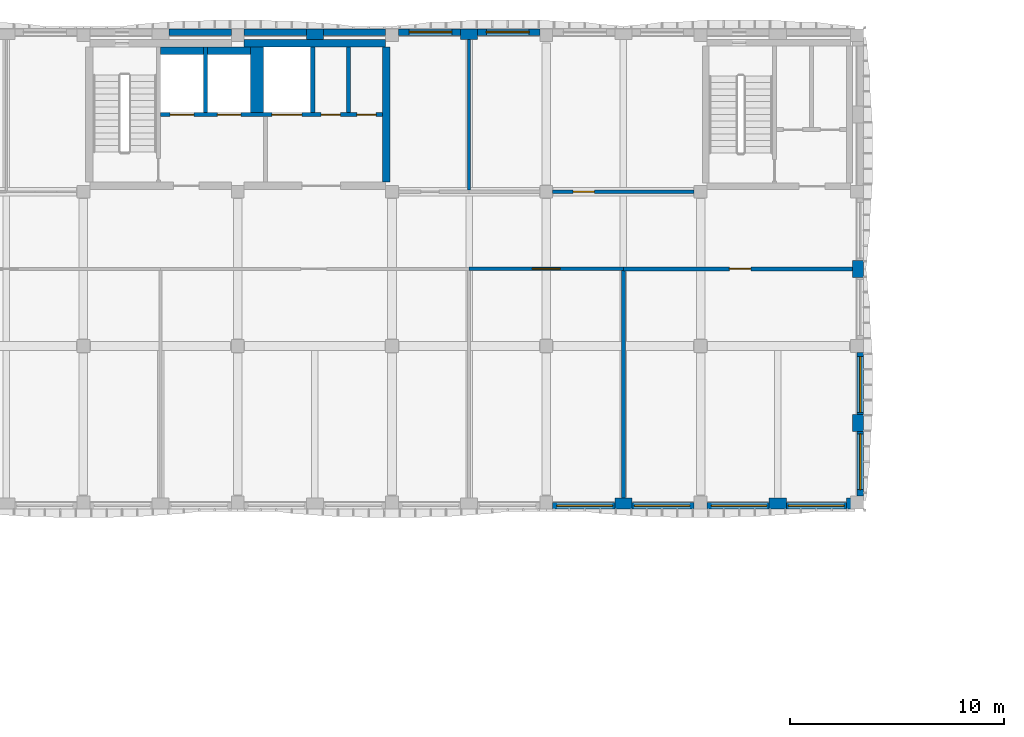
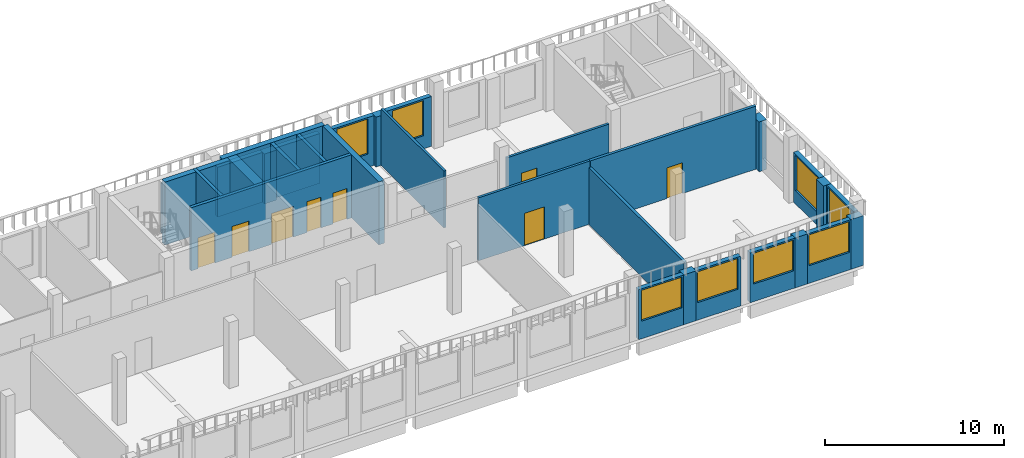
# One storey, part 20 of 44: 32 walls, 8 doors, 8 windows, 16 openings.
"""IFC4 building model written with IfcOpenShell, lengths in metres."""

from ifc_helpers import new_model, si_unit, direction, frame, frame_2d, origin, place, context, subcontext, project, spatial, rectangle, extrude, material, layer, layer_set, type_object, element, fill, save


model = new_model("IFC4")

# Units and contexts
model_context = context("Model", 3, precision=1e-05, world=origin(), true_north=direction((0.0, 1.0)))
body_context = subcontext(model_context, "Body", "Model", "MODEL_VIEW")
ifc_project = project(units=[si_unit("LENGTHUNIT", "METRE"), si_unit("AREAUNIT", "SQUARE_METRE"), si_unit("VOLUMEUNIT", "CUBIC_METRE"), si_unit("PLANEANGLEUNIT", "RADIAN"), si_unit("MASSUNIT", "GRAM", prefix="KILO")], contexts=[model_context])

# Site, building, storey
site_placement = place(None, origin())
site = spatial("IfcSite", under=ifc_project, at=site_placement, CompositionType="ELEMENT")
building_placement = place(site_placement, origin())
building = spatial("IfcBuilding", under=site, at=building_placement, Name="Ussher Court Research Institute", CompositionType="ELEMENT")
storey_placement = place(building_placement, frame((0.0, 0.0, 18.89990234375)))
storey = spatial("IfcBuildingStorey", under=building, at=storey_placement, Name="L04", CompositionType="ELEMENT", Elevation=18.89990234375)

# Wall, opening, door
ifc_material_1 = material(Name="Plasterboard on steel studs with mineral wool", Category="steel")
ifc_layer_1 = layer(ifc_material_1, 0.179931640625)
ifc_layer_set_1 = layer_set([ifc_layer_1], Name="Plasterboard on steel studs with mineral wool")
wall_type_1 = type_object("IfcWallType", Name="Acoustic twin-stud partition 180", PredefinedType="PARTITIONING", material=ifc_layer_set_1)
wall_1_placement = place(storey_placement, frame((82.10009765625, 79.60009765625, 0.0), z_axis=(0.0, 0.0, 1.0), x_axis=(-1.0, 0.0, 0.0)))
wall_1 = element("IfcWall", 1, at=wall_1_placement, inside=storey, type_object=wall_type_1, Name="Partition", PredefinedType="PARTITIONING", context=body_context, shape_type="SweptSolid", body=[
    extrude(rectangle(XDim=10.7001953125, YDim=0.179931640625, at=frame_2d((5.35009765625, 0.0))), origin(), (0.0, 0.0, 1.0), 4.300048828125),
])
opening_1_placement = place(wall_1_placement, frame((4.75, 0.0, 0.0)))
opening_1 = element("IfcOpeningElement", 2, at=opening_1_placement, cuts=wall_1, Name="Opening D04021", PredefinedType="OPENING", context=body_context, shape_type="SweptSolid", body=[
    extrude(rectangle(XDim=1.0, YDim=2.10009765625, at=frame_2d((0.5, 1.050048828125))), frame((0.0, 0.10009765625, 0.0), z_axis=(0.0, -1.0, 0.0), x_axis=(1.0, 0.0, 0.0)), (0.0, 0.0, 1.0), 0.199951171875),
])
ifc_material_2 = material(Name="Veneered timber door", Category="wood")
door_type_1 = type_object("IfcDoorType", Name="Meeting room door 1000x2100", OperationType="NOTDEFINED", PredefinedType="DOOR", material=ifc_material_2)
door_1_placement = place(opening_1_placement, origin())
door_1 = element("IfcDoor", 3, at=door_1_placement, inside=storey, type_object=door_type_1, Name="Door D04021", OperationType="SINGLE_SWING_LEFT", OverallHeight=2.10009765625, OverallWidth=1.0, PredefinedType="DOOR", context=body_context, shape_type="SweptSolid", body=[
    extrude(rectangle(XDim=1.0, YDim=2.10009765625, at=frame_2d((0.5, 1.050048828125))), frame((0.0, 0.02490234375, 0.0), z_axis=(0.0, -1.0, 0.0), x_axis=(1.0, 0.0, 0.0)), (0.0, 0.0, 1.0), 0.050048828125),
])
fill(opening_1, door_1)

# Wall
wall_2_placement = place(storey_placement, frame((71.39990234375, 68.89990234375, 0.0), z_axis=(0.0, 0.0, 1.0), x_axis=(0.0, 1.0, 0.0)))
element("IfcWall", 4, at=wall_2_placement, inside=storey, type_object=wall_type_1, Name="Partition", PredefinedType="PARTITIONING", context=body_context, shape_type="SweptSolid", body=[
    extrude(rectangle(XDim=10.6201171875, YDim=0.179931640625, at=frame_2d((5.31005859375, 0.0))), origin(), (0.0, 0.0, 1.0), 3.8701171875),
])

# Wall, opening, window
ifc_material_3 = material(Name="Blockwork with cream render", Category="masonry")
ifc_layer_2 = layer(ifc_material_3, 0.300048828125)
ifc_layer_set_2 = layer_set([ifc_layer_2], Name="Blockwork with cream render")
wall_type_2 = type_object("IfcWallType", Name="External wall 300 cream render", PredefinedType="SOLIDWALL", material=ifc_layer_set_2)
wall_3_placement = place(storey_placement, frame((60.89990234375, 90.64990234375, 0.0), z_axis=(0.0, 0.0, 1.0), x_axis=(1.0, 0.0, 0.0)))
wall_3 = element("IfcWall", 5, at=wall_3_placement, inside=storey, type_object=wall_type_2, Name="External wall EW1 L04", PredefinedType="SOLIDWALL", context=body_context, shape_type="SweptSolid", body=[
    extrude(rectangle(XDim=2.900146484375, YDim=0.300048828125, at=frame_2d((1.4501953125, 0.0))), origin(), (0.0, 0.0, 1.0), 3.400146484375),
])
opening_2_placement = place(wall_3_placement, frame((0.5, 0.0, 0.89990234375)))
opening_2 = element("IfcOpeningElement", 6, at=opening_2_placement, cuts=wall_3, Name="Opening W14", PredefinedType="OPENING", context=body_context, shape_type="SweptSolid", body=[
    extrude(rectangle(XDim=2.0, YDim=2.39990234375, at=frame_2d((1.0, 1.199951171875))), frame((0.0, 0.16015625, 0.0), z_axis=(0.0, -1.0, 0.0), x_axis=(1.0, 0.0, 0.0)), (0.0, 0.0, 1.0), 0.320068359375),
])
ifc_material_4 = material(Name="Bronze anodised aluminium with double glazing", Category="aluminium")
window_type_1 = type_object("IfcWindowType", Name="Seminar and write-up office window 2000x2400", PartitioningType="DOUBLE_PANEL_VERTICAL", PredefinedType="WINDOW", material=ifc_material_4)
window_1_placement = place(opening_2_placement, origin())
window_1 = element("IfcWindow", 7, at=window_1_placement, inside=storey, type_object=window_type_1, Name="Window W14 L04", OverallHeight=2.39990234375, OverallWidth=2.0, PartitioningType="SINGLE_PANEL", PredefinedType="WINDOW", context=body_context, shape_type="SweptSolid", body=[
    extrude(rectangle(XDim=2.0, YDim=2.39990234375, at=frame_2d((1.0, 1.199951171875))), frame((0.0, 0.030029296875, 0.0), z_axis=(0.0, -1.0, 0.0), x_axis=(1.0, 0.0, 0.0)), (0.0, 0.0, 1.0), 0.06005859375),
])
fill(opening_2, window_1)

wall_4_placement = place(storey_placement, frame((64.60009765625, 90.64990234375, 0.0), z_axis=(0.0, 0.0, 1.0), x_axis=(1.0, 0.0, 0.0)))
wall_4 = element("IfcWall", 8, at=wall_4_placement, inside=storey, type_object=wall_type_2, Name="External wall EW1 L04", PredefinedType="SOLIDWALL", context=body_context, shape_type="SweptSolid", body=[
    extrude(rectangle(XDim=2.89990234375, YDim=0.300048828125, at=frame_2d((1.449951171875, 0.0))), origin(), (0.0, 0.0, 1.0), 3.400146484375),
])
opening_3_placement = place(wall_4_placement, frame((0.39990234375, 0.0, 0.89990234375)))
opening_3 = element("IfcOpeningElement", 9, at=opening_3_placement, cuts=wall_4, Name="Opening W14", PredefinedType="OPENING", context=body_context, shape_type="SweptSolid", body=[
    extrude(rectangle(XDim=2.0, YDim=2.39990234375, at=frame_2d((1.0, 1.199951171875))), frame((0.0, 0.16015625, 0.0), z_axis=(0.0, -1.0, 0.0), x_axis=(1.0, 0.0, 0.0)), (0.0, 0.0, 1.0), 0.320068359375),
])
window_2_placement = place(opening_3_placement, origin())
window_2 = element("IfcWindow", 10, at=window_2_placement, inside=storey, type_object=window_type_1, Name="Window W14 L04", OverallHeight=2.39990234375, OverallWidth=2.0, PartitioningType="SINGLE_PANEL", PredefinedType="WINDOW", context=body_context, shape_type="SweptSolid", body=[
    extrude(rectangle(XDim=2.0, YDim=2.39990234375, at=frame_2d((1.0, 1.199951171875))), frame((0.0, 0.030029296875, 0.0), z_axis=(0.0, -1.0, 0.0), x_axis=(1.0, 0.0, 0.0)), (0.0, 0.0, 1.0), 0.06005859375),
])
fill(opening_3, window_2)

wall_5_placement = place(storey_placement, frame((82.449951171875, 75.699951171875, 0.0), z_axis=(0.0, 0.0, 1.0), x_axis=(0.0, -1.0, 0.0)))
wall_5 = element("IfcWall", 11, at=wall_5_placement, inside=storey, type_object=wall_type_2, Name="External wall EW1 L04", PredefinedType="SOLIDWALL", context=body_context, shape_type="SweptSolid", body=[
    extrude(rectangle(XDim=2.89990234375, YDim=0.300048828125, at=frame_2d((1.449951171875, 0.0))), origin(), (0.0, 0.0, 1.0), 3.400146484375),
])
opening_4_placement = place(wall_5_placement, frame((0.199951171875, 0.0, 0.89990234375)))
opening_4 = element("IfcOpeningElement", 12, at=opening_4_placement, cuts=wall_5, Name="Opening W01", PredefinedType="OPENING", context=body_context, shape_type="SweptSolid", body=[
    extrude(rectangle(XDim=2.60009765625, YDim=2.39990234375, at=frame_2d((1.300048828125, 1.199951171875))), frame((0.0, 0.16015625, 0.0), z_axis=(0.0, -1.0, 0.0), x_axis=(1.0, 0.0, 0.0)), (0.0, 0.0, 1.0), 0.320068359375),
])
ifc_material_5 = material(Name="Bronze anodised aluminium with double glazing", Category="aluminium")
window_type_2 = type_object("IfcWindowType", Name="Laboratory bay window 2600x2400", PartitioningType="DOUBLE_PANEL_VERTICAL", PredefinedType="WINDOW", material=ifc_material_5)
window_3_placement = place(opening_4_placement, origin())
window_3 = element("IfcWindow", 13, at=window_3_placement, inside=storey, type_object=window_type_2, Name="Window W01 L04", OverallHeight=2.39990234375, OverallWidth=2.60009765625, PartitioningType="SINGLE_PANEL", PredefinedType="WINDOW", context=body_context, shape_type="SweptSolid", body=[
    extrude(rectangle(XDim=2.60009765625, YDim=2.39990234375, at=frame_2d((1.300048828125, 1.199951171875))), frame((0.0, 0.030029296875, 0.0), z_axis=(0.0, -1.0, 0.0), x_axis=(1.0, 0.0, 0.0)), (0.0, 0.0, 1.0), 0.06005859375),
])
fill(opening_4, window_3)

wall_6_placement = place(storey_placement, frame((82.449951171875, 72.0, 0.0), z_axis=(0.0, 0.0, 1.0), x_axis=(0.0, -1.0, 0.0)))
wall_6 = element("IfcWall", 14, at=wall_6_placement, inside=storey, type_object=wall_type_2, Name="External wall EW1 L04", PredefinedType="SOLIDWALL", context=body_context, shape_type="SweptSolid", body=[
    extrude(rectangle(XDim=3.0, YDim=0.300048828125, at=frame_2d((1.5, 0.0))), origin(), (0.0, 0.0, 1.0), 3.400146484375),
])
opening_5_placement = place(wall_6_placement, frame((0.10009765625, 0.0, 0.89990234375)))
opening_5 = element("IfcOpeningElement", 15, at=opening_5_placement, cuts=wall_6, Name="Opening W01", PredefinedType="OPENING", context=body_context, shape_type="SweptSolid", body=[
    extrude(rectangle(XDim=2.60009765625, YDim=2.39990234375, at=frame_2d((1.300048828125, 1.199951171875))), frame((0.0, 0.16015625, 0.0), z_axis=(0.0, -1.0, 0.0), x_axis=(1.0, 0.0, 0.0)), (0.0, 0.0, 1.0), 0.320068359375),
])
window_4_placement = place(opening_5_placement, origin())
window_4 = element("IfcWindow", 16, at=window_4_placement, inside=storey, type_object=window_type_2, Name="Window W01 L04", OverallHeight=2.39990234375, OverallWidth=2.60009765625, PartitioningType="SINGLE_PANEL", PredefinedType="WINDOW", context=body_context, shape_type="SweptSolid", body=[
    extrude(rectangle(XDim=2.60009765625, YDim=2.39990234375, at=frame_2d((1.300048828125, 1.199951171875))), frame((0.0, 0.030029296875, 0.0), z_axis=(0.0, -1.0, 0.0), x_axis=(1.0, 0.0, 0.0)), (0.0, 0.0, 1.0), 0.06005859375),
])
fill(opening_5, window_4)

wall_7_placement = place(storey_placement, frame((81.800048828125, 68.550048828125, 0.0), z_axis=(0.0, 0.0, 1.0), x_axis=(-1.0, 0.0, 0.0)))
wall_7 = element("IfcWall", 17, at=wall_7_placement, inside=storey, type_object=wall_type_2, Name="External wall EW1 L04", PredefinedType="SOLIDWALL", context=body_context, shape_type="SweptSolid", body=[
    extrude(rectangle(XDim=2.800048828125, YDim=0.300048828125, at=frame_2d((1.39990234375, 0.0))), origin(), (0.0, 0.0, 1.0), 3.400146484375),
])
opening_6_placement = place(wall_7_placement, frame((0.10009765625, 0.0, 1.199951171875)))
opening_6 = element("IfcOpeningElement", 18, at=opening_6_placement, cuts=wall_7, Name="Opening W08", PredefinedType="OPENING", context=body_context, shape_type="SweptSolid", body=[
    extrude(rectangle(XDim=2.60009765625, YDim=2.10009765625, at=frame_2d((1.300048828125, 1.050048828125))), frame((0.0, 0.16015625, 0.0), z_axis=(0.0, -1.0, 0.0), x_axis=(1.0, 0.0, 0.0)), (0.0, 0.0, 1.0), 0.320068359375),
])
ifc_material_6 = material(Name="Bronze anodised aluminium with double glazing", Category="aluminium")
window_type_3 = type_object("IfcWindowType", Name="Dry laboratory bay window 2600x2100", PartitioningType="DOUBLE_PANEL_VERTICAL", PredefinedType="WINDOW", material=ifc_material_6)
window_5_placement = place(opening_6_placement, origin())
window_5 = element("IfcWindow", 19, at=window_5_placement, inside=storey, type_object=window_type_3, Name="Window W08 L04", OverallHeight=2.10009765625, OverallWidth=2.60009765625, PartitioningType="SINGLE_PANEL", PredefinedType="WINDOW", context=body_context, shape_type="SweptSolid", body=[
    extrude(rectangle(XDim=2.60009765625, YDim=2.10009765625, at=frame_2d((1.300048828125, 1.050048828125))), frame((0.0, 0.030029296875, 0.0), z_axis=(0.0, -1.0, 0.0), x_axis=(1.0, 0.0, 0.0)), (0.0, 0.0, 1.0), 0.06005859375),
])
fill(opening_6, window_5)

wall_8_placement = place(storey_placement, frame((78.199951171875, 68.550048828125, 0.0), z_axis=(0.0, 0.0, 1.0), x_axis=(-1.0, 0.0, 0.0)))
wall_8 = element("IfcWall", 20, at=wall_8_placement, inside=storey, type_object=wall_type_2, Name="External wall EW1 L04", PredefinedType="SOLIDWALL", context=body_context, shape_type="SweptSolid", body=[
    extrude(rectangle(XDim=2.89990234375, YDim=0.300048828125, at=frame_2d((1.449951171875, 0.0))), origin(), (0.0, 0.0, 1.0), 3.400146484375),
])
opening_7_placement = place(wall_8_placement, frame((0.10009765625, 0.0, 1.199951171875)))
opening_7 = element("IfcOpeningElement", 21, at=opening_7_placement, cuts=wall_8, Name="Opening W08", PredefinedType="OPENING", context=body_context, shape_type="SweptSolid", body=[
    extrude(rectangle(XDim=2.60009765625, YDim=2.10009765625, at=frame_2d((1.300048828125, 1.050048828125))), frame((0.0, 0.16015625, 0.0), z_axis=(0.0, -1.0, 0.0), x_axis=(1.0, 0.0, 0.0)), (0.0, 0.0, 1.0), 0.320068359375),
])
window_6_placement = place(opening_7_placement, origin())
window_6 = element("IfcWindow", 22, at=window_6_placement, inside=storey, type_object=window_type_3, Name="Window W08 L04", OverallHeight=2.10009765625, OverallWidth=2.60009765625, PartitioningType="SINGLE_PANEL", PredefinedType="WINDOW", context=body_context, shape_type="SweptSolid", body=[
    extrude(rectangle(XDim=2.60009765625, YDim=2.10009765625, at=frame_2d((1.300048828125, 1.050048828125))), frame((0.0, 0.030029296875, 0.0), z_axis=(0.0, -1.0, 0.0), x_axis=(1.0, 0.0, 0.0)), (0.0, 0.0, 1.0), 0.06005859375),
])
fill(opening_7, window_6)

wall_9_placement = place(storey_placement, frame((74.699951171875, 68.550048828125, 0.0), z_axis=(0.0, 0.0, 1.0), x_axis=(-1.0, 0.0, 0.0)))
wall_9 = element("IfcWall", 23, at=wall_9_placement, inside=storey, type_object=wall_type_2, Name="External wall EW1 L04", PredefinedType="SOLIDWALL", context=body_context, shape_type="SweptSolid", body=[
    extrude(rectangle(XDim=2.89990234375, YDim=0.300048828125, at=frame_2d((1.449951171875, 0.0))), origin(), (0.0, 0.0, 1.0), 3.400146484375),
])
opening_8_placement = place(wall_9_placement, frame((0.199951171875, 0.0, 1.199951171875)))
opening_8 = element("IfcOpeningElement", 24, at=opening_8_placement, cuts=wall_9, Name="Opening W08", PredefinedType="OPENING", context=body_context, shape_type="SweptSolid", body=[
    extrude(rectangle(XDim=2.60009765625, YDim=2.10009765625, at=frame_2d((1.300048828125, 1.050048828125))), frame((0.0, 0.16015625, 0.0), z_axis=(0.0, -1.0, 0.0), x_axis=(1.0, 0.0, 0.0)), (0.0, 0.0, 1.0), 0.320068359375),
])
window_7_placement = place(opening_8_placement, origin())
window_7 = element("IfcWindow", 25, at=window_7_placement, inside=storey, type_object=window_type_3, Name="Window W08 L04", OverallHeight=2.10009765625, OverallWidth=2.60009765625, PartitioningType="SINGLE_PANEL", PredefinedType="WINDOW", context=body_context, shape_type="SweptSolid", body=[
    extrude(rectangle(XDim=2.60009765625, YDim=2.10009765625, at=frame_2d((1.300048828125, 1.050048828125))), frame((0.0, 0.030029296875, 0.0), z_axis=(0.0, -1.0, 0.0), x_axis=(1.0, 0.0, 0.0)), (0.0, 0.0, 1.0), 0.06005859375),
])
fill(opening_8, window_7)

wall_10_placement = place(storey_placement, frame((71.0, 68.550048828125, 0.0), z_axis=(0.0, 0.0, 1.0), x_axis=(-1.0, 0.0, 0.0)))
wall_10 = element("IfcWall", 26, at=wall_10_placement, inside=storey, type_object=wall_type_2, Name="External wall EW1 L04", PredefinedType="SOLIDWALL", context=body_context, shape_type="SweptSolid", body=[
    extrude(rectangle(XDim=2.89990234375, YDim=0.300048828125, at=frame_2d((1.449951171875, 0.0))), origin(), (0.0, 0.0, 1.0), 3.400146484375),
])
opening_9_placement = place(wall_10_placement, frame((0.10009765625, 0.0, 1.199951171875)))
opening_9 = element("IfcOpeningElement", 27, at=opening_9_placement, cuts=wall_10, Name="Opening W08", PredefinedType="OPENING", context=body_context, shape_type="SweptSolid", body=[
    extrude(rectangle(XDim=2.60009765625, YDim=2.10009765625, at=frame_2d((1.300048828125, 1.050048828125))), frame((0.0, 0.16015625, 0.0), z_axis=(0.0, -1.0, 0.0), x_axis=(1.0, 0.0, 0.0)), (0.0, 0.0, 1.0), 0.320068359375),
])
window_8_placement = place(opening_9_placement, origin())
window_8 = element("IfcWindow", 28, at=window_8_placement, inside=storey, type_object=window_type_3, Name="Window W08 L04", OverallHeight=2.10009765625, OverallWidth=2.60009765625, PartitioningType="SINGLE_PANEL", PredefinedType="WINDOW", context=body_context, shape_type="SweptSolid", body=[
    extrude(rectangle(XDim=2.60009765625, YDim=2.10009765625, at=frame_2d((1.300048828125, 1.050048828125))), frame((0.0, 0.030029296875, 0.0), z_axis=(0.0, -1.0, 0.0), x_axis=(1.0, 0.0, 0.0)), (0.0, 0.0, 1.0), 0.06005859375),
])
fill(opening_9, window_8)

# Walls
ifc_material_7 = material(Name="Limestone facing on blockwork", Category="masonry")
ifc_layer_3 = layer(ifc_material_7, 0.300048828125)
ifc_layer_set_3 = layer_set([ifc_layer_3], Name="Limestone facing on blockwork")
wall_type_3 = type_object("IfcWallType", Name="External wall 300 stair enclosure", PredefinedType="SOLIDWALL", material=ifc_layer_set_3)
for number, where, z_axis, x_axis, name in (
    (29, (50.199951171875, 90.64990234375, 0.0), (0.0, 0.0, 1.0), (1.0, 0.0, 0.0), "External wall EW5 L04"),
    (30, (53.699951171875, 90.64990234375, 0.0), (0.0, 0.0, 1.0), (1.0, 0.0, 0.0), "External wall EW5 L04"),
    (31, (57.39990234375, 90.64990234375, 0.0), (0.0, 0.0, 1.0), (1.0, 0.0, 0.0), "External wall EW5 L04"),
):
    element("IfcWall", number, at=place(storey_placement, frame(where, z_axis=z_axis, x_axis=x_axis)), inside=storey, type_object=wall_type_3, Name=name, PredefinedType="SOLIDWALL", context=body_context, shape_type="SweptSolid", body=[
        extrude(rectangle(XDim=2.900146484375, YDim=0.300048828125, at=frame_2d((1.4501953125, 0.0))), origin(), (0.0, 0.0, 1.0), 3.400146484375),
    ])

# Wall, opening, door
ifc_material_8 = material(Name="Plastered blockwork", Category="masonry")
ifc_layer_4 = layer(ifc_material_8, 0.14990234375)
ifc_layer_set_4 = layer_set([ifc_layer_4], Name="Plastered blockwork")
wall_type_4 = type_object("IfcWallType", Name="Fire partition blockwork 150 EI 60", PredefinedType="PARTITIONING", material=ifc_layer_set_4)
wall_11_placement = place(storey_placement, frame((68.10009765625, 83.199951171875, 0.0), z_axis=(0.0, 0.0, 1.0), x_axis=(1.0, 0.0, 0.0)))
wall_11 = element("IfcWall", 32, at=wall_11_placement, inside=storey, type_object=wall_type_4, Name="Fire partition", PredefinedType="PARTITIONING", context=body_context, shape_type="SweptSolid", body=[
    extrude(rectangle(XDim=6.599853515625, YDim=0.14990234375, at=frame_2d((3.2998046875, 0.0))), origin(), (0.0, 0.0, 1.0), 3.47021484375),
])
opening_10_placement = place(wall_11_placement, frame((0.949951171875, 0.0, 0.0)))
opening_10 = element("IfcOpeningElement", 33, at=opening_10_placement, cuts=wall_11, Name="Opening D04020", PredefinedType="OPENING", context=body_context, shape_type="SweptSolid", body=[
    extrude(rectangle(XDim=1.0, YDim=2.10009765625, at=frame_2d((0.5, 1.050048828125))), frame((0.0, 0.0849609375, 0.0), z_axis=(0.0, -1.0, 0.0), x_axis=(1.0, 0.0, 0.0)), (0.0, 0.0, 1.0), 0.169921875),
])
ifc_material_9 = material(Name="Painted steel faced fire door", Category="steel")
door_type_2 = type_object("IfcDoorType", Name="Store door 1000x2100 FD60", OperationType="NOTDEFINED", PredefinedType="DOOR", material=ifc_material_9)
door_2_placement = place(opening_10_placement, origin())
door_2 = element("IfcDoor", 34, at=door_2_placement, inside=storey, type_object=door_type_2, Name="Door D04020", OperationType="SINGLE_SWING_LEFT", OverallHeight=2.10009765625, OverallWidth=1.0, PredefinedType="DOOR", context=body_context, shape_type="SweptSolid", body=[
    extrude(rectangle(XDim=1.0, YDim=2.10009765625, at=frame_2d((0.5, 1.050048828125))), frame((0.0, 0.02490234375, 0.0), z_axis=(0.0, -1.0, 0.0), x_axis=(1.0, 0.0, 0.0)), (0.0, 0.0, 1.0), 0.050048828125),
])
fill(opening_10, door_2)

# Wall
wall_12_placement = place(storey_placement, frame((64.199951171875, 83.27490234375, 0.0), z_axis=(0.0, 0.0, 1.0), x_axis=(0.0, 1.0, 0.0)))
element("IfcWall", 35, at=wall_12_placement, inside=storey, type_object=wall_type_4, Name="Fire partition", PredefinedType="PARTITIONING", context=body_context, shape_type="SweptSolid", body=[
    extrude(rectangle(XDim=7.025146484375, YDim=0.14990234375, at=frame_2d((3.5126953125, 0.0))), origin(), (0.0, 0.0, 1.0), 3.8701171875),
])

# Wall, opening, door
ifc_material_10 = material(Name="Dense concrete blockwork", Category="masonry")
ifc_layer_5 = layer(ifc_material_10, 0.159912109375)
ifc_layer_set_5 = layer_set([ifc_layer_5], Name="Dense concrete blockwork")
wall_type_5 = type_object("IfcWallType", Name="Instrument room dense block partition 160", PredefinedType="PARTITIONING", material=ifc_layer_set_5)
wall_13_placement = place(storey_placement, frame((71.39990234375, 79.60009765625, 0.0), z_axis=(0.0, 0.0, 1.0), x_axis=(-1.0, 0.0, 0.0)))
wall_13 = element("IfcWall", 36, at=wall_13_placement, inside=storey, type_object=wall_type_5, Name="Partition", PredefinedType="PARTITIONING", context=body_context, shape_type="SweptSolid", body=[
    extrude(rectangle(XDim=7.199951171875, YDim=0.159912109375, at=frame_2d((3.60009765625, 0.0))), origin(), (0.0, 0.0, 1.0), 4.300048828125),
])
opening_11_placement = place(wall_13_placement, frame((2.949951171875, 0.0, 0.0)))
opening_11 = element("IfcOpeningElement", 37, at=opening_11_placement, cuts=wall_13, Name="Opening D04019", PredefinedType="OPENING", context=body_context, shape_type="SweptSolid", body=[
    extrude(rectangle(XDim=1.300048828125, YDim=2.199951171875, at=frame_2d((0.64990234375, 1.10009765625))), frame((0.0, 0.08984375, 0.0), z_axis=(0.0, -1.0, 0.0), x_axis=(1.0, 0.0, 0.0)), (0.0, 0.0, 1.0), 0.179931640625),
])
ifc_material_11 = material(Name="Veneered timber door", Category="wood")
door_type_3 = type_object("IfcDoorType", Name="Instrument room door 1300x2200", OperationType="NOTDEFINED", PredefinedType="DOOR", material=ifc_material_11)
door_3_placement = place(opening_11_placement, origin())
door_3 = element("IfcDoor", 38, at=door_3_placement, inside=storey, type_object=door_type_3, Name="Door D04019", OperationType="SINGLE_SWING_RIGHT", OverallHeight=2.199951171875, OverallWidth=1.300048828125, PredefinedType="DOOR", context=body_context, shape_type="SweptSolid", body=[
    extrude(rectangle(XDim=1.300048828125, YDim=2.199951171875, at=frame_2d((0.64990234375, 1.10009765625))), frame((0.0, 0.02490234375, 0.0), z_axis=(0.0, -1.0, 0.0), x_axis=(1.0, 0.0, 0.0)), (0.0, 0.0, 1.0), 0.050048828125),
])
fill(opening_11, door_3)

# Walls
ifc_material_12 = material(Name="Blockwork with cream render", Category="masonry")
ifc_layer_6 = layer(ifc_material_12, 0.5)
ifc_layer_set_6 = layer_set([ifc_layer_6], Name="Blockwork with cream render")
wall_type_6 = type_object("IfcWallType", Name="Pier 800x500 cream render", PredefinedType="SOLIDWALL", material=ifc_layer_set_6)
wall_14_placement = place(storey_placement, frame((56.60009765625, 90.550048828125, 0.0), z_axis=(0.0, 0.0, 1.0), x_axis=(1.0, 0.0, 0.0)))
element("IfcWall", 39, at=wall_14_placement, inside=storey, type_object=wall_type_6, Name="Pier PR1 L04", PredefinedType="SOLIDWALL", context=body_context, shape_type="SweptSolid", body=[
    extrude(rectangle(XDim=0.7998046875, YDim=0.5, at=frame_2d((0.39990234375, 0.0))), origin(), (0.0, 0.0, 1.0), 3.400146484375),
])
for number, where, z_axis, x_axis, name in (
    (40, (63.800048828125, 90.550048828125, 0.0), (0.0, 0.0, 1.0), (1.0, 0.0, 0.0), "Pier PR1 L04"),
    (41, (82.35009765625, 80.0, 0.0), (0.0, 0.0, 1.0), (0.0, -1.0, 0.0), "Pier PR1 L04"),
    (42, (82.35009765625, 72.800048828125, 0.0), (0.0, 0.0, 1.0), (0.0, -1.0, 0.0), "Pier PR1 L04"),
    (43, (82.60009765625, 68.64990234375, 0.0), (0.0, 0.0, 1.0), (-1.0, 0.0, 0.0), "Pier PR1 L04"),
    (44, (79.0, 68.64990234375, 0.0), (0.0, 0.0, 1.0), (-1.0, 0.0, 0.0), "Pier PR1 L04"),
    (45, (71.800048828125, 68.64990234375, 0.0), (0.0, 0.0, 1.0), (-1.0, 0.0, 0.0), "Pier PR1 L04"),
):
    element("IfcWall", number, at=place(storey_placement, frame(where, z_axis=z_axis, x_axis=x_axis)), inside=storey, type_object=wall_type_6, Name=name, PredefinedType="SOLIDWALL", context=body_context, shape_type="SweptSolid", body=[
        extrude(rectangle(XDim=0.800048828125, YDim=0.5, at=frame_2d((0.39990234375, 0.0))), origin(), (0.0, 0.0, 1.0), 3.400146484375),
    ])

# Wall, openings, doors
ifc_material_13 = material(Name="Concrete C35/45", Category="concrete")
ifc_layer_7 = layer(ifc_material_13, 0.199951171875)
ifc_layer_set_7 = layer_set([ifc_layer_7], Name="Concrete C35/45")
wall_type_7 = type_object("IfcWallType", Name="RC core wall 200", PredefinedType="SHEAR", material=ifc_layer_set_7)
wall_15_placement = place(storey_placement, frame((60.14990234375, 86.800048828125, 0.0), z_axis=(0.0, 0.0, 1.0), x_axis=(-1.0, 0.0, 0.0)))
wall_15 = element("IfcWall", 46, at=wall_15_placement, inside=storey, type_object=wall_type_7, Name="Core wall D2", PredefinedType="SHEAR", context=body_context, shape_type="SweptSolid", body=[
    extrude(rectangle(XDim=10.349853515625, YDim=0.199951171875, at=frame_2d((5.1748046875, 0.0))), origin(), (0.0, 0.0, 1.0), 4.300048828125),
])
opening_12_placement = place(wall_15_placement, frame((8.800048828125, 0.0, 0.0)))
opening_12 = element("IfcOpeningElement", 47, at=opening_12_placement, cuts=wall_15, Name="Opening LD51", PredefinedType="OPENING", context=body_context, shape_type="SweptSolid", body=[
    extrude(rectangle(XDim=1.10009765625, YDim=2.10009765625, at=frame_2d((0.550048828125, 1.050048828125))), frame((0.0, 0.10986328125, 0.0), z_axis=(0.0, -1.0, 0.0), x_axis=(1.0, 0.0, 0.0)), (0.0, 0.0, 1.0), 0.219970703125),
])
opening_13_placement = place(wall_15_placement, frame((6.60009765625, 0.0, 0.0)))
opening_13 = element("IfcOpeningElement", 48, at=opening_13_placement, cuts=wall_15, Name="Opening LD52", PredefinedType="OPENING", context=body_context, shape_type="SweptSolid", body=[
    extrude(rectangle(XDim=1.10009765625, YDim=2.10009765625, at=frame_2d((0.550048828125, 1.050048828125))), frame((0.0, 0.10986328125, 0.0), z_axis=(0.0, -1.0, 0.0), x_axis=(1.0, 0.0, 0.0)), (0.0, 0.0, 1.0), 0.219970703125),
])
opening_14_placement = place(wall_15_placement, frame((3.75, 0.0, 0.0)))
opening_14 = element("IfcOpeningElement", 49, at=opening_14_placement, cuts=wall_15, Name="Opening LD53", PredefinedType="OPENING", context=body_context, shape_type="SweptSolid", body=[
    extrude(rectangle(XDim=1.39990234375, YDim=2.10009765625, at=frame_2d((0.699951171875, 1.050048828125))), frame((0.0, 0.10986328125, 0.0), z_axis=(0.0, -1.0, 0.0), x_axis=(1.0, 0.0, 0.0)), (0.0, 0.0, 1.0), 0.219970703125),
])
opening_15_placement = place(wall_15_placement, frame((1.96240234375, 0.0, 0.0)))
opening_15 = element("IfcOpeningElement", 50, at=opening_15_placement, cuts=wall_15, Name="Opening D04016", PredefinedType="OPENING", context=body_context, shape_type="SweptSolid", body=[
    extrude(rectangle(XDim=0.89990234375, YDim=2.10009765625, at=frame_2d((0.449951171875, 1.050048828125))), frame((0.0, 0.10986328125, 0.0), z_axis=(0.0, -1.0, 0.0), x_axis=(1.0, 0.0, 0.0)), (0.0, 0.0, 1.0), 0.219970703125),
])
opening_16_placement = place(wall_15_placement, frame((0.28759765625, 0.0, 0.0)))
opening_16 = element("IfcOpeningElement", 51, at=opening_16_placement, cuts=wall_15, Name="Opening D04017", PredefinedType="OPENING", context=body_context, shape_type="SweptSolid", body=[
    extrude(rectangle(XDim=0.89990234375, YDim=2.10009765625, at=frame_2d((0.449951171875, 1.050048828125))), frame((0.0, 0.10986328125, 0.0), z_axis=(0.0, -1.0, 0.0), x_axis=(1.0, 0.0, 0.0)), (0.0, 0.0, 1.0), 0.219970703125),
])
ifc_material_14 = material(Name="Painted steel faced fire door", Category="steel")
door_type_4 = type_object("IfcDoorType", Name="Fire door 900x2100 FD60", OperationType="NOTDEFINED", PredefinedType="DOOR", material=ifc_material_14)
door_4_placement = place(opening_15_placement, origin())
door_4 = element("IfcDoor", 52, at=door_4_placement, inside=storey, type_object=door_type_4, Name="Door D04016", OperationType="SINGLE_SWING_LEFT", OverallHeight=2.10009765625, OverallWidth=0.89990234375, PredefinedType="DOOR", context=body_context, shape_type="SweptSolid", body=[
    extrude(rectangle(XDim=0.89990234375, YDim=2.10009765625, at=frame_2d((0.449951171875, 1.050048828125))), frame((0.0, 0.02490234375, 0.0), z_axis=(0.0, -1.0, 0.0), x_axis=(1.0, 0.0, 0.0)), (0.0, 0.0, 1.0), 0.050048828125),
])
fill(opening_15, door_4)
door_5_placement = place(opening_16_placement, origin())
door_5 = element("IfcDoor", 53, at=door_5_placement, inside=storey, type_object=door_type_4, Name="Door D04017", OperationType="SINGLE_SWING_LEFT", OverallHeight=2.10009765625, OverallWidth=0.89990234375, PredefinedType="DOOR", context=body_context, shape_type="SweptSolid", body=[
    extrude(rectangle(XDim=0.89990234375, YDim=2.10009765625, at=frame_2d((0.449951171875, 1.050048828125))), frame((0.0, 0.02490234375, 0.0), z_axis=(0.0, -1.0, 0.0), x_axis=(1.0, 0.0, 0.0)), (0.0, 0.0, 1.0), 0.050048828125),
])
fill(opening_16, door_5)
ifc_material_15 = material(Name="Stainless steel lift door", Category="steel")
door_type_5 = type_object("IfcDoorType", Name="Lift landing door 1100x2100 sliding", OperationType="DOUBLE_DOOR_SLIDING", PredefinedType="DOOR", material=ifc_material_15)
door_6_placement = place(opening_12_placement, origin())
door_6 = element("IfcDoor", 54, at=door_6_placement, inside=storey, type_object=door_type_5, Name="Landing door D2-1 L04", OperationType="DOUBLE_DOOR_SLIDING", OverallHeight=2.10009765625, OverallWidth=1.10009765625, PredefinedType="DOOR", context=body_context, shape_type="SweptSolid", body=[
    extrude(rectangle(XDim=1.10009765625, YDim=2.10009765625, at=frame_2d((0.550048828125, 1.050048828125))), frame((0.0, 0.02490234375, 0.0), z_axis=(0.0, -1.0, 0.0), x_axis=(1.0, 0.0, 0.0)), (0.0, 0.0, 1.0), 0.050048828125),
])
fill(opening_12, door_6)
door_7_placement = place(opening_13_placement, origin())
door_7 = element("IfcDoor", 55, at=door_7_placement, inside=storey, type_object=door_type_5, Name="Landing door D2-2 L04", OperationType="DOUBLE_DOOR_SLIDING", OverallHeight=2.10009765625, OverallWidth=1.10009765625, PredefinedType="DOOR", context=body_context, shape_type="SweptSolid", body=[
    extrude(rectangle(XDim=1.10009765625, YDim=2.10009765625, at=frame_2d((0.550048828125, 1.050048828125))), frame((0.0, 0.02490234375, 0.0), z_axis=(0.0, -1.0, 0.0), x_axis=(1.0, 0.0, 0.0)), (0.0, 0.0, 1.0), 0.050048828125),
])
fill(opening_13, door_7)
ifc_material_16 = material(Name="Stainless steel lift door", Category="steel")
door_type_6 = type_object("IfcDoorType", Name="Lift landing door 1400x2100 sliding", OperationType="DOUBLE_DOOR_SLIDING", PredefinedType="DOOR", material=ifc_material_16)
door_8_placement = place(opening_14_placement, origin())
door_8 = element("IfcDoor", 56, at=door_8_placement, inside=storey, type_object=door_type_6, Name="Landing door D2-3 L04", OperationType="DOUBLE_DOOR_SLIDING", OverallHeight=2.10009765625, OverallWidth=1.39990234375, PredefinedType="DOOR", context=body_context, shape_type="SweptSolid", body=[
    extrude(rectangle(XDim=1.39990234375, YDim=2.10009765625, at=frame_2d((0.699951171875, 1.050048828125))), frame((0.0, 0.02490234375, 0.0), z_axis=(0.0, -1.0, 0.0), x_axis=(1.0, 0.0, 0.0)), (0.0, 0.0, 1.0), 0.050048828125),
])
fill(opening_14, door_8)

# Walls
for number, where, z_axis, x_axis, name in (
    (57, (51.89990234375, 86.89990234375, 0.0), (0.0, 0.0, 1.0), (0.0, 1.0, 0.0), "Core wall D2"),
    (58, (56.89990234375, 86.89990234375, 0.0), (0.0, 0.0, 1.0), (0.0, 1.0, 0.0), "Core wall D2"),
    (59, (58.574951171875, 86.89990234375, 0.0), (0.0, 0.0, 1.0), (0.0, 1.0, 0.0), "Core wall D2"),
):
    element("IfcWall", number, at=place(storey_placement, frame(where, z_axis=z_axis, x_axis=x_axis)), inside=storey, type_object=wall_type_7, Name=name, PredefinedType="SHEAR", context=body_context, shape_type="SweptSolid", body=[
        extrude(rectangle(XDim=3.050048828125, YDim=0.199951171875, at=frame_2d((1.52490234375, 0.0))), origin(), (0.0, 0.0, 1.0), 4.300048828125),
    ])
ifc_material_17 = material(Name="Concrete C35/45", Category="concrete")
ifc_layer_8 = layer(ifc_material_17, 0.35009765625)
ifc_layer_set_8 = layer_set([ifc_layer_8], Name="Concrete C35/45")
wall_type_8 = type_object("IfcWallType", Name="RC core wall 350", PredefinedType="SHEAR", material=ifc_layer_set_8)
wall_16_placement = place(storey_placement, frame((53.699951171875, 90.125, 0.0), z_axis=(0.0, 0.0, 1.0), x_axis=(1.0, 0.0, 0.0)))
element("IfcWall", 60, at=wall_16_placement, inside=storey, type_object=wall_type_8, Name="Core wall D2", PredefinedType="SHEAR", context=body_context, shape_type="SweptSolid", body=[
    extrude(rectangle(XDim=6.60009765625, YDim=0.35009765625, at=frame_2d((3.300048828125, 0.0))), origin(), (0.0, 0.0, 1.0), 4.300048828125),
])
wall_17_placement = place(storey_placement, frame((60.324951171875, 83.64990234375, 0.0), z_axis=(0.0, 0.0, 1.0), x_axis=(0.0, 1.0, 0.0)))
element("IfcWall", 61, at=wall_17_placement, inside=storey, type_object=wall_type_8, Name="Core wall D2", PredefinedType="SHEAR", context=body_context, shape_type="SweptSolid", body=[
    extrude(rectangle(XDim=6.300048828125, YDim=0.35009765625, at=frame_2d((3.14990234375, 0.0))), origin(), (0.0, 0.0, 1.0), 4.300048828125),
])
for number, where, z_axis, x_axis, name in (
    (62, (49.800048828125, 89.77490234375, 0.0), (0.0, 0.0, 1.0), (1.0, 0.0, 0.0), "Core wall D2"),
    (63, (52.0, 89.77490234375, 0.0), (0.0, 0.0, 1.0), (1.0, 0.0, 0.0), "Core wall D2"),
):
    element("IfcWall", number, at=place(storey_placement, frame(where, z_axis=z_axis, x_axis=x_axis)), inside=storey, type_object=wall_type_8, Name=name, PredefinedType="SHEAR", context=body_context, shape_type="SweptSolid", body=[
        extrude(rectangle(XDim=2.0, YDim=0.35009765625, at=frame_2d((1.0, 0.0))), origin(), (0.0, 0.0, 1.0), 4.300048828125),
    ])
ifc_material_18 = material(Name="Concrete C35/45", Category="concrete")
ifc_layer_9 = layer(ifc_material_18, 0.60009765625)
ifc_layer_set_9 = layer_set([ifc_layer_9], Name="Concrete C35/45")
wall_type_9 = type_object("IfcWallType", Name="RC core wall 600", PredefinedType="SHEAR", material=ifc_layer_set_9)
wall_18_placement = place(storey_placement, frame((54.300048828125, 86.89990234375, 0.0), z_axis=(0.0, 0.0, 1.0), x_axis=(0.0, 1.0, 0.0)))
element("IfcWall", 64, at=wall_18_placement, inside=storey, type_object=wall_type_9, Name="Core wall D2", PredefinedType="SHEAR", context=body_context, shape_type="SweptSolid", body=[
    extrude(rectangle(XDim=3.050048828125, YDim=0.60009765625, at=frame_2d((1.52490234375, 0.0))), origin(), (0.0, 0.0, 1.0), 4.300048828125),
])

save(model, "model.ifc")
